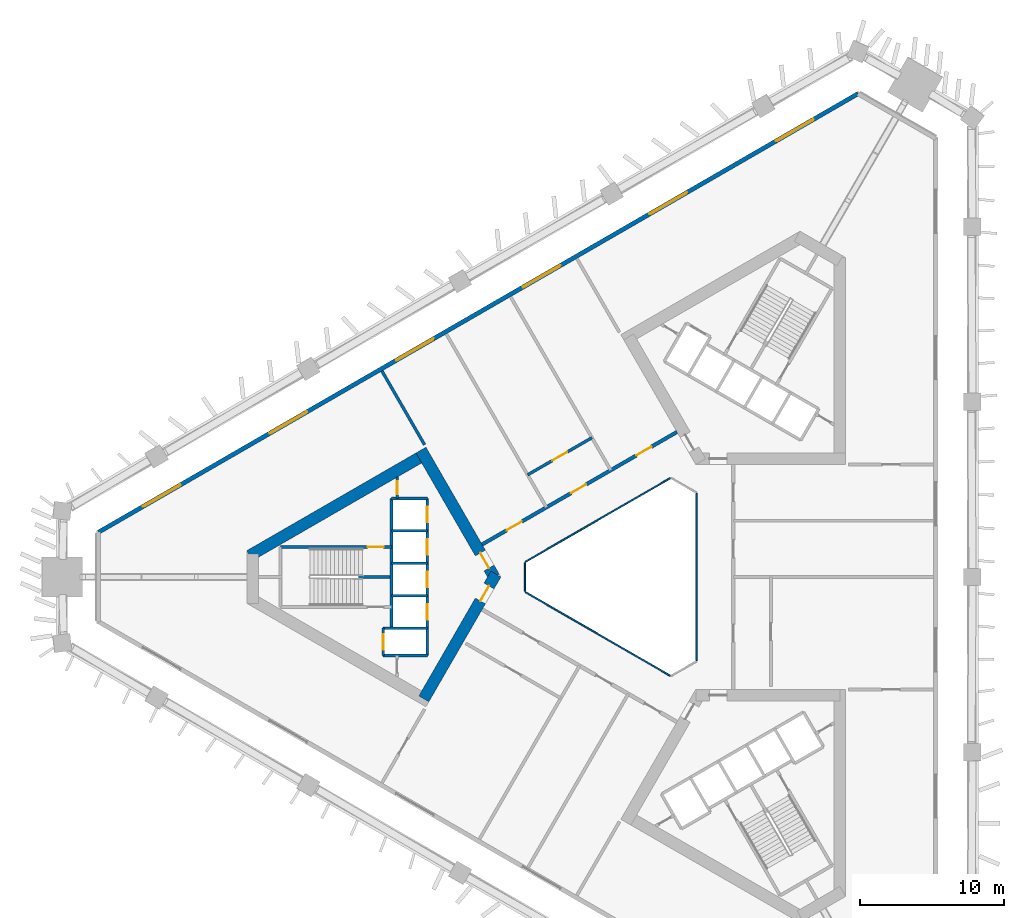
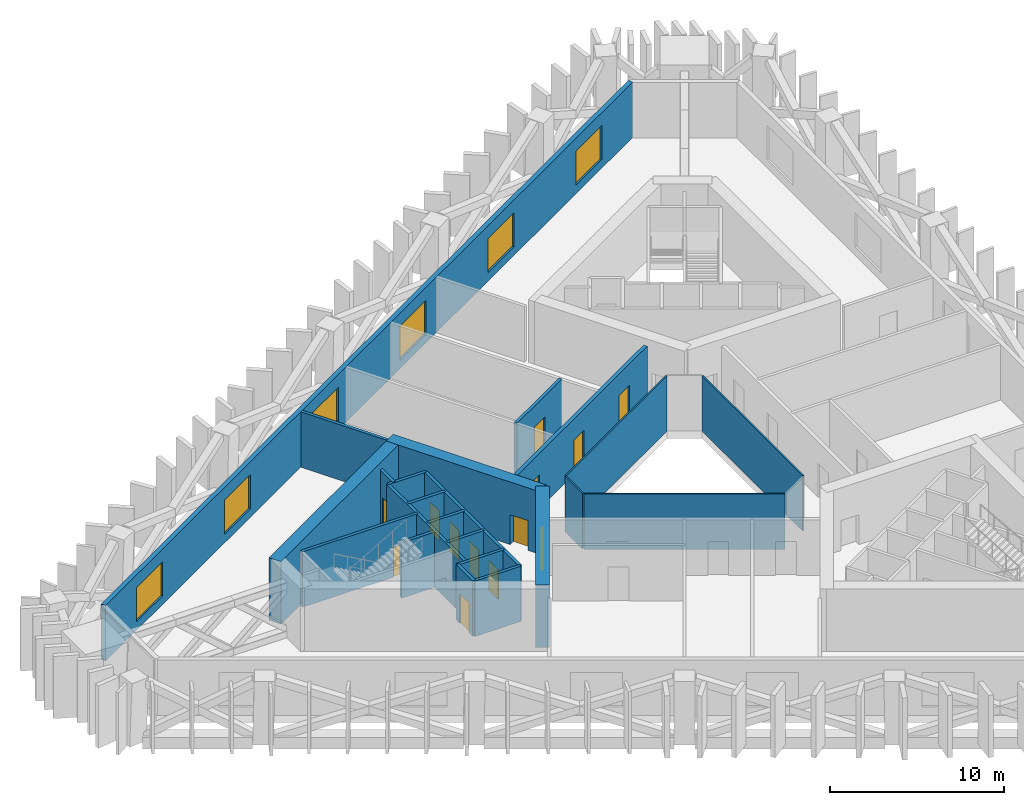
# One storey, part 5 of 9: 23 walls, 13 doors, 6 windows, 19 openings.
"""IFC4 building model written with IfcOpenShell, lengths in metres."""

from ifc_helpers import new_model, si_unit, direction, frame, frame_2d, origin, place, context, subcontext, project, spatial, rectangle, extrude, material, layer, layer_set, type_object, element, fill, save


model = new_model("IFC4")

# Units and contexts
model_context = context("Model", 3, precision=1e-05, world=origin(), true_north=direction((0.0, 1.0)))
body_context = subcontext(model_context, "Body", "Model", "MODEL_VIEW")
ifc_project = project(units=[si_unit("LENGTHUNIT", "METRE"), si_unit("AREAUNIT", "SQUARE_METRE"), si_unit("VOLUMEUNIT", "CUBIC_METRE"), si_unit("PLANEANGLEUNIT", "RADIAN"), si_unit("MASSUNIT", "GRAM", prefix="KILO")], contexts=[model_context])

# Site, building, storey
site_placement = place(None, origin())
site = spatial("IfcSite", under=ifc_project, at=site_placement, CompositionType="ELEMENT")
building_placement = place(site_placement, origin())
building = spatial("IfcBuilding", under=site, at=building_placement, Name="Jabali Bay Hotel Tower and Convention Centre", CompositionType="ELEMENT")
storey_placement = place(building_placement, frame((0.0, 0.0, 48.5)))
storey = spatial("IfcBuildingStorey", under=building, at=storey_placement, Name="L10", CompositionType="ELEMENT", Elevation=48.5)

# Walls
ifc_material_1 = material(Name="Fire-resistant glazing", Category="glass")
ifc_layer_1 = layer(ifc_material_1, 0.10009765625)
ifc_layer_set_1 = layer_set([ifc_layer_1], Name="Fire-resistant glazing")
wall_type_1 = type_object("IfcWallType", Name="Atrium glazed screen 100", PredefinedType="PARTITIONING", material=ifc_layer_set_1)
for number, where, z_axis, x_axis, name in (
    (1, (79.56005859375, 74.205810546875, 0.0), (0.0, 0.0, 1.0), (0.0, 1.0, 0.0), "Atrium screen 1 L10"),
    (2, (77.738037109375, 86.84619140625, 0.0), (0.0, 0.0, 1.0), (-0.866026658274, -0.499997827154, 0.0), "Atrium screen 3 L10"),
):
    element("IfcWall", number, at=place(storey_placement, frame(where, z_axis=z_axis, x_axis=x_axis)), inside=storey, type_object=wall_type_1, Name=name, PredefinedType="PARTITIONING", context=body_context, shape_type="SweptSolid", body=[
        extrude(rectangle(XDim=11.58837890625, YDim=0.10009765625, at=frame_2d((5.794189453125, 0.0))), origin(), (0.0, 0.0, 1.0), 3.89990234375),
    ])
wall_1_placement = place(storey_placement, frame((67.672119140625, 81.0, 0.0), z_axis=(0.0, 0.0, 1.0), x_axis=(0.0, -1.0, 0.0)))
element("IfcWall", 3, at=wall_1_placement, inside=storey, type_object=wall_type_1, Name="Atrium screen 4 L10", PredefinedType="PARTITIONING", context=body_context, shape_type="SweptSolid", body=[
    extrude(rectangle(XDim=2.0, YDim=0.10009765625, at=frame_2d((1.0, 0.0))), origin(), (0.0, 0.0, 1.0), 3.89990234375),
])
wall_2_placement = place(storey_placement, frame((67.7021484375, 78.947998046875, 0.0), z_axis=(0.0, 0.0, 1.0), x_axis=(0.866026658274, -0.499997827154, 0.0)))
element("IfcWall", 4, at=wall_2_placement, inside=storey, type_object=wall_type_1, Name="Atrium screen 5 L10", PredefinedType="PARTITIONING", context=body_context, shape_type="SweptSolid", body=[
    extrude(rectangle(XDim=11.58837890625, YDim=0.10009765625, at=frame_2d((5.794189453125, 0.0))), origin(), (0.0, 0.0, 1.0), 3.89990234375),
])

# Wall, opening, door
ifc_material_2 = material(Name="Concrete C40", Category="concrete")
ifc_layer_2 = layer(ifc_material_2, 0.199951171875)
ifc_layer_set_2 = layer_set([ifc_layer_2], Name="Concrete C40")
wall_type_2 = type_object("IfcWallType", Name="Core partition wall 200", PredefinedType="PARTITIONING", material=ifc_layer_set_2)
wall_3_placement = place(storey_placement, frame((58.820068359375, 86.916748046875, 0.0), z_axis=(0.0, 0.0, 1.0), x_axis=(0.0, -1.0, 0.0)))
wall_3 = element("IfcWall", 5, at=wall_3_placement, inside=storey, type_object=wall_type_2, Name="Core wall 0.11 L10", PredefinedType="PARTITIONING", context=body_context, shape_type="SweptSolid", body=[
    extrude(rectangle(XDim=1.466796875, YDim=0.199951171875, at=frame_2d((0.7333984375, 0.0))), origin(), (0.0, 0.0, 1.0), 3.89990234375),
])
opening_1_placement = place(wall_3_placement, frame((0.283447265625, 0.0, 0.0)))
opening_1 = element("IfcOpeningElement", 6, at=opening_1_placement, cuts=wall_3, Name="Opening D291", PredefinedType="OPENING", context=body_context, shape_type="SweptSolid", body=[
    extrude(rectangle(XDim=0.89990234375, YDim=2.10009765625, at=frame_2d((0.449951171875, 1.050048828125))), frame((0.0, 0.1103515625, 0.0), z_axis=(0.0, -1.0, 0.0), x_axis=(1.0, 0.0, 0.0)), (0.0, 0.0, 1.0), 0.220947265625),
])
ifc_material_3 = material(Name="Fire-rated steel door", Category="steel")
door_type_1 = type_object("IfcDoorType", Name="Vestibule fire door 900 x 2100", OperationType="NOTDEFINED", PredefinedType="NOTDEFINED", material=ifc_material_3)
door_1_placement = place(opening_1_placement, origin())
door_1 = element("IfcDoor", 7, at=door_1_placement, inside=storey, type_object=door_type_1, Name="Vestibule fire door D291", OperationType="SINGLE_SWING_LEFT", OverallHeight=2.10009765625, OverallWidth=0.89990234375, PredefinedType="NOTDEFINED", context=body_context, shape_type="SweptSolid", body=[
    extrude(rectangle(XDim=0.89990234375, YDim=2.10009765625, at=frame_2d((0.449951171875, 1.050048828125))), frame((0.0, 0.02490234375, 0.0), z_axis=(0.0, -1.0, 0.0), x_axis=(1.0, 0.0, 0.0)), (0.0, 0.0, 1.0), 0.050048828125),
])
fill(opening_1, door_1)

# Walls
ifc_layer_3 = layer(ifc_material_2, 0.199951171875)
ifc_layer_set_3 = layer_set([ifc_layer_3], Name="Concrete C40")
wall_type_3 = type_object("IfcWallType", Name="Core stair wall 200", PredefinedType="SOLIDWALL", material=ifc_layer_set_3)
for number, where, z_axis, x_axis, name in (
    (8, (60.89990234375, 85.449951171875, 0.0), (0.0, 0.0, 1.0), (-1.0, 0.0, 0.0), "Core wall 0.0 L10"),
    (9, (60.89990234375, 83.199951171875, 0.0), (0.0, 0.0, 1.0), (-1.0, 0.0, 0.0), "Core wall 0.1 L10"),
):
    element("IfcWall", number, at=place(storey_placement, frame(where, z_axis=z_axis, x_axis=x_axis)), inside=storey, type_object=wall_type_3, Name=name, PredefinedType="SOLIDWALL", context=body_context, shape_type="SweptSolid", body=[
        extrude(rectangle(XDim=2.47998046875, YDim=0.199951171875, at=frame_2d((1.239990234375, 0.0))), origin(), (0.0, 0.0, 1.0), 3.89990234375),
    ])

# Wall, opening, door
wall_4_placement = place(storey_placement, frame((58.419921875, 82.074951171875, 0.0), z_axis=(0.0, 0.0, 1.0), x_axis=(-1.0, 0.0, 0.0)))
wall_4 = element("IfcWall", 10, at=wall_4_placement, inside=storey, type_object=wall_type_3, Name="Core wall 0.2 L10", PredefinedType="SOLIDWALL", context=body_context, shape_type="SweptSolid", body=[
    extrude(rectangle(XDim=7.699951171875, YDim=0.199951171875, at=frame_2d((3.85009765625, 0.0))), origin(), (0.0, 0.0, 1.0), 3.89990234375),
])
opening_2_placement = place(wall_4_placement, frame((0.550048828125, 0.0, 0.0)))
opening_2 = element("IfcOpeningElement", 11, at=opening_2_placement, cuts=wall_4, Name="Opening D293", PredefinedType="OPENING", context=body_context, shape_type="SweptSolid", body=[
    extrude(rectangle(XDim=1.10009765625, YDim=2.10009765625, at=frame_2d((0.550048828125, 1.050048828125))), frame((0.0, 0.1103515625, 0.0), z_axis=(0.0, -1.0, 0.0), x_axis=(1.0, 0.0, 0.0)), (0.0, 0.0, 1.0), 0.220947265625),
])
door_type_2 = type_object("IfcDoorType", Name="Stair fire door 1100 x 2100", OperationType="NOTDEFINED", PredefinedType="NOTDEFINED", material=ifc_material_3)
door_2_placement = place(opening_2_placement, origin())
door_2 = element("IfcDoor", 12, at=door_2_placement, inside=storey, type_object=door_type_2, Name="Stair fire door D293", OperationType="SINGLE_SWING_LEFT", OverallHeight=2.10009765625, OverallWidth=1.10009765625, PredefinedType="NOTDEFINED", context=body_context, shape_type="SweptSolid", body=[
    extrude(rectangle(XDim=1.10009765625, YDim=2.10009765625, at=frame_2d((0.550048828125, 1.050048828125))), frame((0.0, 0.02490234375, 0.0), z_axis=(0.0, -1.0, 0.0), x_axis=(1.0, 0.0, 0.0)), (0.0, 0.0, 1.0), 0.050048828125),
])
fill(opening_2, door_2)

# Walls
wall_5_placement = place(storey_placement, frame((60.89990234375, 80.949951171875, 0.0), z_axis=(0.0, 0.0, 1.0), x_axis=(-1.0, 0.0, 0.0)))
element("IfcWall", 13, at=wall_5_placement, inside=storey, type_object=wall_type_3, Name="Core wall 0.3 L10", PredefinedType="SOLIDWALL", context=body_context, shape_type="SweptSolid", body=[
    extrude(rectangle(XDim=2.47998046875, YDim=0.199951171875, at=frame_2d((1.239990234375, 0.0))), origin(), (0.0, 0.0, 1.0), 3.89990234375),
])
wall_6_placement = place(storey_placement, frame((58.320068359375, 80.0, 0.0), z_axis=(0.0, 0.0, 1.0), x_axis=(-1.0, 0.0, 0.0)))
element("IfcWall", 14, at=wall_6_placement, inside=storey, type_object=wall_type_3, Name="Core wall 0.4 L10", PredefinedType="SOLIDWALL", context=body_context, shape_type="SweptSolid", body=[
    extrude(rectangle(XDim=2.199951171875, YDim=0.199951171875, at=frame_2d((1.10009765625, 0.0))), origin(), (0.0, 0.0, 1.0), 3.89990234375),
])
wall_7_placement = place(storey_placement, frame((60.89990234375, 78.699951171875, 0.0), z_axis=(0.0, 0.0, 1.0), x_axis=(-1.0, 0.0, 0.0)))
element("IfcWall", 15, at=wall_7_placement, inside=storey, type_object=wall_type_3, Name="Core wall 0.6 L10", PredefinedType="SOLIDWALL", context=body_context, shape_type="SweptSolid", body=[
    extrude(rectangle(XDim=2.47998046875, YDim=0.199951171875, at=frame_2d((1.239990234375, 0.0))), origin(), (0.0, 0.0, 1.0), 3.89990234375),
])
for number, where, z_axis, x_axis, name in (
    (16, (60.89990234375, 76.449951171875, 0.0), (0.0, 0.0, 1.0), (-1.0, 0.0, 0.0), "Core wall 0.8 L10"),
    (17, (60.89990234375, 74.550048828125, 0.0), (0.0, 0.0, 1.0), (-1.0, 0.0, 0.0), "Core wall 0.9 L10"),
):
    element("IfcWall", number, at=place(storey_placement, frame(where, z_axis=z_axis, x_axis=x_axis)), inside=storey, type_object=wall_type_3, Name=name, PredefinedType="SOLIDWALL", context=body_context, shape_type="SweptSolid", body=[
        extrude(rectangle(XDim=3.0498046875, YDim=0.199951171875, at=frame_2d((1.52490234375, 0.0))), origin(), (0.0, 0.0, 1.0), 3.89990234375),
    ])

# Wall, openings, doors
wall_8_placement = place(storey_placement, frame((60.89990234375, 85.449951171875, 0.0), z_axis=(0.0, 0.0, 1.0), x_axis=(0.0, -1.0, 0.0)))
wall_8 = element("IfcWall", 18, at=wall_8_placement, inside=storey, type_object=wall_type_3, Name="Core wall 0.10 L10", PredefinedType="SOLIDWALL", context=body_context, shape_type="SweptSolid", body=[
    extrude(rectangle(XDim=10.89990234375, YDim=0.199951171875, at=frame_2d((5.449951171875, 0.0))), origin(), (0.0, 0.0, 1.0), 3.89990234375),
])
opening_3_placement = place(wall_8_placement, frame((0.574951171875, 0.0, 0.0)))
opening_3 = element("IfcOpeningElement", 19, at=opening_3_placement, cuts=wall_8, Name="Opening LD1-L10", PredefinedType="OPENING", context=body_context, shape_type="SweptSolid", body=[
    extrude(rectangle(XDim=1.10009765625, YDim=2.10009765625, at=frame_2d((0.550048828125, 1.050048828125))), frame((0.0, 0.1103515625, 0.0), z_axis=(0.0, -1.0, 0.0), x_axis=(1.0, 0.0, 0.0)), (0.0, 0.0, 1.0), 0.220947265625),
])
opening_4_placement = place(wall_8_placement, frame((2.824951171875, 0.0, 0.0)))
opening_4 = element("IfcOpeningElement", 20, at=opening_4_placement, cuts=wall_8, Name="Opening LD2-L10", PredefinedType="OPENING", context=body_context, shape_type="SweptSolid", body=[
    extrude(rectangle(XDim=1.10009765625, YDim=2.10009765625, at=frame_2d((0.550048828125, 1.050048828125))), frame((0.0, 0.1103515625, 0.0), z_axis=(0.0, -1.0, 0.0), x_axis=(1.0, 0.0, 0.0)), (0.0, 0.0, 1.0), 0.220947265625),
])
opening_5_placement = place(wall_8_placement, frame((5.074951171875, 0.0, 0.0)))
opening_5 = element("IfcOpeningElement", 21, at=opening_5_placement, cuts=wall_8, Name="Opening LD3-L10", PredefinedType="OPENING", context=body_context, shape_type="SweptSolid", body=[
    extrude(rectangle(XDim=1.10009765625, YDim=2.10009765625, at=frame_2d((0.550048828125, 1.050048828125))), frame((0.0, 0.1103515625, 0.0), z_axis=(0.0, -1.0, 0.0), x_axis=(1.0, 0.0, 0.0)), (0.0, 0.0, 1.0), 0.220947265625),
])
opening_6_placement = place(wall_8_placement, frame((7.324951171875, 0.0, 0.0)))
opening_6 = element("IfcOpeningElement", 22, at=opening_6_placement, cuts=wall_8, Name="Opening LD4-L10", PredefinedType="OPENING", context=body_context, shape_type="SweptSolid", body=[
    extrude(rectangle(XDim=1.10009765625, YDim=2.10009765625, at=frame_2d((0.550048828125, 1.050048828125))), frame((0.0, 0.1103515625, 0.0), z_axis=(0.0, -1.0, 0.0), x_axis=(1.0, 0.0, 0.0)), (0.0, 0.0, 1.0), 0.220947265625),
])
ifc_material_4 = material(Name="Stainless steel landing door", Category="steel")
door_type_3 = type_object("IfcDoorType", Name="Landing door 1100 x 2100", OperationType="NOTDEFINED", PredefinedType="NOTDEFINED", material=ifc_material_4)
door_3_placement = place(opening_3_placement, origin())
door_3 = element("IfcDoor", 23, at=door_3_placement, inside=storey, type_object=door_type_3, Name="Landing doors LD1-L10", OperationType="SLIDING_TO_RIGHT", OverallHeight=2.10009765625, OverallWidth=1.10009765625, PredefinedType="NOTDEFINED", context=body_context, shape_type="SweptSolid", body=[
    extrude(rectangle(XDim=1.10009765625, YDim=2.10009765625, at=frame_2d((0.550048828125, 1.050048828125))), frame((0.0, 0.02490234375, 0.0), z_axis=(0.0, -1.0, 0.0), x_axis=(1.0, 0.0, 0.0)), (0.0, 0.0, 1.0), 0.050048828125),
])
fill(opening_3, door_3)
door_4_placement = place(opening_4_placement, origin())
door_4 = element("IfcDoor", 24, at=door_4_placement, inside=storey, type_object=door_type_3, Name="Landing doors LD2-L10", OperationType="SLIDING_TO_LEFT", OverallHeight=2.10009765625, OverallWidth=1.10009765625, PredefinedType="NOTDEFINED", context=body_context, shape_type="SweptSolid", body=[
    extrude(rectangle(XDim=1.10009765625, YDim=2.10009765625, at=frame_2d((0.550048828125, 1.050048828125))), frame((0.0, 0.02490234375, 0.0), z_axis=(0.0, -1.0, 0.0), x_axis=(1.0, 0.0, 0.0)), (0.0, 0.0, 1.0), 0.050048828125),
])
fill(opening_4, door_4)
door_5_placement = place(opening_5_placement, origin())
door_5 = element("IfcDoor", 25, at=door_5_placement, inside=storey, type_object=door_type_3, Name="Landing doors LD3-L10", OperationType="SLIDING_TO_RIGHT", OverallHeight=2.10009765625, OverallWidth=1.10009765625, PredefinedType="NOTDEFINED", context=body_context, shape_type="SweptSolid", body=[
    extrude(rectangle(XDim=1.10009765625, YDim=2.10009765625, at=frame_2d((0.550048828125, 1.050048828125))), frame((0.0, 0.02490234375, 0.0), z_axis=(0.0, -1.0, 0.0), x_axis=(1.0, 0.0, 0.0)), (0.0, 0.0, 1.0), 0.050048828125),
])
fill(opening_5, door_5)
door_6_placement = place(opening_6_placement, origin())
door_6 = element("IfcDoor", 26, at=door_6_placement, inside=storey, type_object=door_type_3, Name="Landing doors LD4-L10", OperationType="SLIDING_TO_LEFT", OverallHeight=2.10009765625, OverallWidth=1.10009765625, PredefinedType="NOTDEFINED", context=body_context, shape_type="SweptSolid", body=[
    extrude(rectangle(XDim=1.10009765625, YDim=2.10009765625, at=frame_2d((0.550048828125, 1.050048828125))), frame((0.0, 0.02490234375, 0.0), z_axis=(0.0, -1.0, 0.0), x_axis=(1.0, 0.0, 0.0)), (0.0, 0.0, 1.0), 0.050048828125),
])
fill(opening_6, door_6)

# Wall
wall_9_placement = place(storey_placement, frame((58.419921875, 85.449951171875, 0.0), z_axis=(0.0, 0.0, 1.0), x_axis=(0.0, -1.0, 0.0)))
element("IfcWall", 27, at=wall_9_placement, inside=storey, type_object=wall_type_3, Name="Core wall 0.13 L10", PredefinedType="SOLIDWALL", context=body_context, shape_type="SweptSolid", body=[
    extrude(rectangle(XDim=9.0, YDim=0.199951171875, at=frame_2d((4.5, 0.0))), origin(), (0.0, 0.0, 1.0), 3.89990234375),
])

# Wall, opening, door
wall_10_placement = place(storey_placement, frame((57.85009765625, 76.449951171875, 0.0), z_axis=(0.0, 0.0, 1.0), x_axis=(0.0, -1.0, 0.0)))
wall_10 = element("IfcWall", 28, at=wall_10_placement, inside=storey, type_object=wall_type_3, Name="Core wall 0.14 L10", PredefinedType="SOLIDWALL", context=body_context, shape_type="SweptSolid", body=[
    extrude(rectangle(XDim=1.89990234375, YDim=0.199951171875, at=frame_2d((0.949951171875, 0.0))), origin(), (0.0, 0.0, 1.0), 3.89990234375),
])
opening_7_placement = place(wall_10_placement, frame((0.39990234375, 0.0, 0.0)))
opening_7 = element("IfcOpeningElement", 29, at=opening_7_placement, cuts=wall_10, Name="Opening LD5-L10", PredefinedType="OPENING", context=body_context, shape_type="SweptSolid", body=[
    extrude(rectangle(XDim=1.10009765625, YDim=2.10009765625, at=frame_2d((0.550048828125, 1.050048828125))), frame((0.0, 0.1103515625, 0.0), z_axis=(0.0, -1.0, 0.0), x_axis=(1.0, 0.0, 0.0)), (0.0, 0.0, 1.0), 0.220947265625),
])
door_7_placement = place(opening_7_placement, origin())
door_7 = element("IfcDoor", 30, at=door_7_placement, inside=storey, type_object=door_type_3, Name="Landing doors LD5-L10", OperationType="SLIDING_TO_RIGHT", OverallHeight=2.10009765625, OverallWidth=1.10009765625, PredefinedType="NOTDEFINED", context=body_context, shape_type="SweptSolid", body=[
    extrude(rectangle(XDim=1.10009765625, YDim=2.10009765625, at=frame_2d((0.550048828125, 1.050048828125))), frame((0.0, 0.02490234375, 0.0), z_axis=(0.0, -1.0, 0.0), x_axis=(1.0, 0.0, 0.0)), (0.0, 0.0, 1.0), 0.050048828125),
])
fill(opening_7, door_7)

ifc_material_5 = material(Name="Concrete C60", Category="concrete")
ifc_layer_4 = layer(ifc_material_5, 0.800048828125)
ifc_layer_set_4 = layer_set([ifc_layer_4], Name="Concrete C60")
wall_type_4 = type_object("IfcWallType", Name="Core wall 800", PredefinedType="SHEAR", material=ifc_layer_set_4)
wall_11_placement = place(storey_placement, frame((65.5380859375, 80.0, 0.0), z_axis=(0.0, 0.0, 1.0), x_axis=(-0.49999662545, 0.866027352073, 0.0)))
wall_11 = element("IfcWall", 31, at=wall_11_placement, inside=storey, type_object=wall_type_4, Name="Core wall 1.1 L10", PredefinedType="SHEAR", context=body_context, shape_type="SweptSolid", body=[
    extrude(rectangle(XDim=10.14892578125, YDim=0.800048828125, at=frame_2d((5.074462890625, 0.0))), origin(), (0.0, 0.0, 1.0), 4.39990234375),
])
opening_8_placement = place(wall_11_placement, frame((0.718994140625, 0.0, 0.0)))
opening_8 = element("IfcOpeningElement", 32, at=opening_8_placement, cuts=wall_11, Name="Opening D288", PredefinedType="OPENING", context=body_context, shape_type="SweptSolid", body=[
    extrude(rectangle(XDim=1.199951171875, YDim=2.10009765625, at=frame_2d((0.60009765625, 1.050048828125))), frame((0.0, 0.41064453125, 0.0), z_axis=(0.0, -1.0, 0.0), x_axis=(1.0, 0.0, 0.0)), (0.0, 0.0, 1.0), 0.821044921875),
])
door_type_4 = type_object("IfcDoorType", Name="Corridor end fire door 1200 x 2100", OperationType="NOTDEFINED", PredefinedType="NOTDEFINED", material=ifc_material_3)
door_8_placement = place(opening_8_placement, origin())
door_8 = element("IfcDoor", 33, at=door_8_placement, inside=storey, type_object=door_type_4, Name="Corridor end fire door D288", OperationType="SINGLE_SWING_RIGHT", OverallHeight=2.10009765625, OverallWidth=1.199951171875, PredefinedType="NOTDEFINED", context=body_context, shape_type="SweptSolid", body=[
    extrude(rectangle(XDim=1.199951171875, YDim=2.10009765625, at=frame_2d((0.60009765625, 1.050048828125))), frame((0.0, 0.02490234375, 0.0), z_axis=(0.0, -1.0, 0.0), x_axis=(1.0, 0.0, 0.0)), (0.0, 0.0, 1.0), 0.050048828125),
])
fill(opening_8, door_8)

# Wall
wall_12_placement = place(storey_placement, frame((60.66357421875, 88.44287109375, 0.0), z_axis=(0.0, 0.0, 1.0), x_axis=(-0.866029478545, -0.499992942241, 0.0)))
element("IfcWall", 34, at=wall_12_placement, inside=storey, type_object=wall_type_4, Name="Core wall 1.2 L10", PredefinedType="SHEAR", context=body_context, shape_type="SweptSolid", body=[
    extrude(rectangle(XDim=13.933349609375, YDim=0.800048828125, at=frame_2d((6.966796875, 0.0))), origin(), (0.0, 0.0, 1.0), 4.39990234375),
])

# Wall, opening, door
wall_13_placement = place(storey_placement, frame((60.66357421875, 71.55712890625, 0.0), z_axis=(0.0, 0.0, 1.0), x_axis=(0.50000409368, 0.866023040284, 0.0)))
wall_13 = element("IfcWall", 35, at=wall_13_placement, inside=storey, type_object=wall_type_4, Name="Core wall 1.5 L10", PredefinedType="SHEAR", context=body_context, shape_type="SweptSolid", body=[
    extrude(rectangle(XDim=9.97998046875, YDim=0.800048828125, at=frame_2d((4.989990234375, 0.0))), origin(), (0.0, 0.0, 1.0), 4.39990234375),
])
opening_9_placement = place(wall_13_placement, frame((7.830078125, 0.0, 0.0)))
opening_9 = element("IfcOpeningElement", 36, at=opening_9_placement, cuts=wall_13, Name="Opening D289", PredefinedType="OPENING", context=body_context, shape_type="SweptSolid", body=[
    extrude(rectangle(XDim=1.199951171875, YDim=2.10009765625, at=frame_2d((0.60009765625, 1.050048828125))), frame((0.0, 0.41064453125, 0.0), z_axis=(0.0, -1.0, 0.0), x_axis=(1.0, 0.0, 0.0)), (0.0, 0.0, 1.0), 0.821044921875),
])
door_9_placement = place(opening_9_placement, origin())
door_9 = element("IfcDoor", 37, at=door_9_placement, inside=storey, type_object=door_type_4, Name="Corridor end fire door D289", OperationType="SINGLE_SWING_LEFT", OverallHeight=2.10009765625, OverallWidth=1.199951171875, PredefinedType="NOTDEFINED", context=body_context, shape_type="SweptSolid", body=[
    extrude(rectangle(XDim=1.199951171875, YDim=2.10009765625, at=frame_2d((0.60009765625, 1.050048828125))), frame((0.0, 0.02490234375, 0.0), z_axis=(0.0, -1.0, 0.0), x_axis=(1.0, 0.0, 0.0)), (0.0, 0.0, 1.0), 0.050048828125),
])
fill(opening_9, door_9)

# Wall, openings, doors
ifc_layer_5 = layer(ifc_material_5, 0.25)
ifc_layer_set_5 = layer_set([ifc_layer_5], Name="Concrete C60")
wall_type_5 = type_object("IfcWallType", Name="Corridor wall 250", PredefinedType="SHEAR", material=ifc_layer_set_5)
wall_14_placement = place(storey_placement, frame((78.199951171875, 90.0458984375, 0.0), z_axis=(0.0, 0.0, 1.0), x_axis=(-0.866026492143, -0.499998114903, 0.0)))
wall_14 = element("IfcWall", 38, at=wall_14_placement, inside=storey, type_object=wall_type_5, Name="Corridor wall 2 L10", PredefinedType="SHEAR", context=body_context, shape_type="SweptSolid", body=[
    extrude(rectangle(XDim=15.58837890625, YDim=0.25, at=frame_2d((7.794189453125, 0.0))), origin(), (0.0, 0.0, 1.0), 3.89990234375),
])
opening_10_placement = place(wall_14_placement, frame((2.050048828125, 0.0, 0.0)))
opening_10 = element("IfcOpeningElement", 39, at=opening_10_placement, cuts=wall_14, Name="Opening 1005", PredefinedType="OPENING", context=body_context, shape_type="SweptSolid", body=[
    extrude(rectangle(XDim=1.199951171875, YDim=2.39990234375, at=frame_2d((0.60009765625, 1.199951171875))), frame((0.0, 0.135498046875, 0.0), z_axis=(0.0, -1.0, 0.0), x_axis=(1.0, 0.0, 0.0)), (0.0, 0.0, 1.0), 0.27099609375),
])
opening_11_placement = place(wall_14_placement, frame((7.272216796875, 0.0, 0.0)))
opening_11 = element("IfcOpeningElement", 40, at=opening_11_placement, cuts=wall_14, Name="Opening 1006", PredefinedType="OPENING", context=body_context, shape_type="SweptSolid", body=[
    extrude(rectangle(XDim=1.199951171875, YDim=2.39990234375, at=frame_2d((0.60009765625, 1.199951171875))), frame((0.0, 0.135498046875, 0.0), z_axis=(0.0, -1.0, 0.0), x_axis=(1.0, 0.0, 0.0)), (0.0, 0.0, 1.0), 0.27099609375),
])
opening_12_placement = place(wall_14_placement, frame((12.41650390625, 0.0, 0.0)))
opening_12 = element("IfcOpeningElement", 41, at=opening_12_placement, cuts=wall_14, Name="Opening 1008", PredefinedType="OPENING", context=body_context, shape_type="SweptSolid", body=[
    extrude(rectangle(XDim=1.199951171875, YDim=2.39990234375, at=frame_2d((0.60009765625, 1.199951171875))), frame((0.0, 0.135498046875, 0.0), z_axis=(0.0, -1.0, 0.0), x_axis=(1.0, 0.0, 0.0)), (0.0, 0.0, 1.0), 0.27099609375),
])
ifc_material_6 = material(Name="Steel Q355B", Category="steel")
door_type_5 = type_object("IfcDoorType", Name="Plant room door 1200 x 2400", OperationType="NOTDEFINED", PredefinedType="NOTDEFINED", material=ifc_material_6)
door_10_placement = place(opening_10_placement, origin())
door_10 = element("IfcDoor", 42, at=door_10_placement, inside=storey, type_object=door_type_5, Name="Door 1005", OperationType="SINGLE_SWING_LEFT", OverallHeight=2.39990234375, OverallWidth=1.199951171875, PredefinedType="NOTDEFINED", context=body_context, shape_type="SweptSolid", body=[
    extrude(rectangle(XDim=1.199951171875, YDim=2.39990234375, at=frame_2d((0.60009765625, 1.199951171875))), frame((0.0, 0.02490234375, 0.0), z_axis=(0.0, -1.0, 0.0), x_axis=(1.0, 0.0, 0.0)), (0.0, 0.0, 1.0), 0.050048828125),
])
fill(opening_10, door_10)
ifc_material_7 = material(Name="Timber", Category="wood")
door_type_6 = type_object("IfcDoorType", Name="Public room door 1200 x 2400", OperationType="NOTDEFINED", PredefinedType="NOTDEFINED", material=ifc_material_7)
door_11_placement = place(opening_12_placement, origin())
door_11 = element("IfcDoor", 43, at=door_11_placement, inside=storey, type_object=door_type_6, Name="Door 1008", OperationType="SINGLE_SWING_RIGHT", OverallHeight=2.39990234375, OverallWidth=1.199951171875, PredefinedType="NOTDEFINED", context=body_context, shape_type="SweptSolid", body=[
    extrude(rectangle(XDim=1.199951171875, YDim=2.39990234375, at=frame_2d((0.60009765625, 1.199951171875))), frame((0.0, 0.02490234375, 0.0), z_axis=(0.0, -1.0, 0.0), x_axis=(1.0, 0.0, 0.0)), (0.0, 0.0, 1.0), 0.050048828125),
])
fill(opening_12, door_11)
door_type_7 = type_object("IfcDoorType", Name="Refuge hall door 1200 x 2400", OperationType="NOTDEFINED", PredefinedType="NOTDEFINED", material=ifc_material_6)
door_12_placement = place(opening_11_placement, origin())
door_12 = element("IfcDoor", 44, at=door_12_placement, inside=storey, type_object=door_type_7, Name="Door 1006", OperationType="SINGLE_SWING_RIGHT", OverallHeight=2.39990234375, OverallWidth=1.199951171875, PredefinedType="NOTDEFINED", context=body_context, shape_type="SweptSolid", body=[
    extrude(rectangle(XDim=1.199951171875, YDim=2.39990234375, at=frame_2d((0.60009765625, 1.199951171875))), frame((0.0, 0.02490234375, 0.0), z_axis=(0.0, -1.0, 0.0), x_axis=(1.0, 0.0, 0.0)), (0.0, 0.0, 1.0), 0.050048828125),
])
fill(opening_11, door_12)

# Wall, openings, windows
ifc_layer_6 = layer(ifc_material_2, 0.300048828125)
ifc_layer_set_6 = layer_set([ifc_layer_6], Name="Concrete C40")
wall_type_6 = type_object("IfcWallType", Name="External wall 300", PredefinedType="SOLIDWALL", material=ifc_layer_set_6)
wall_15_placement = place(storey_placement, frame((38.130859375, 83.1083984375, 0.0), z_axis=(0.0, 0.0, 1.0), x_axis=(0.866025105017, 0.50000051748, 0.0)))
wall_15 = element("IfcWall", 45, at=wall_15_placement, inside=storey, type_object=wall_type_6, Name="External wall north-west face L10", PredefinedType="SOLIDWALL", context=body_context, shape_type="SweptSolid", body=[
    extrude(rectangle(XDim=60.7509765625, YDim=0.300048828125, at=frame_2d((30.37548828125, 0.0))), origin(), (0.0, 0.0, 1.0), 3.89990234375),
])
opening_13_placement = place(wall_15_placement, frame((3.5625, 0.0, 0.60009765625)))
opening_13 = element("IfcOpeningElement", 46, at=opening_13_placement, cuts=wall_15, Name="Opening W2", PredefinedType="OPENING", context=body_context, shape_type="SweptSolid", body=[
    extrude(rectangle(XDim=3.0, YDim=2.39990234375, at=frame_2d((1.5, 1.199951171875))), frame((0.0, 0.16064453125, 0.0), z_axis=(0.0, -1.0, 0.0), x_axis=(1.0, 0.0, 0.0)), (0.0, 0.0, 1.0), 0.321044921875),
])
opening_14_placement = place(wall_15_placement, frame((13.687744140625, 0.0, 0.60009765625)))
opening_14 = element("IfcOpeningElement", 47, at=opening_14_placement, cuts=wall_15, Name="Opening W2", PredefinedType="OPENING", context=body_context, shape_type="SweptSolid", body=[
    extrude(rectangle(XDim=3.0, YDim=2.39990234375, at=frame_2d((1.5, 1.199951171875))), frame((0.0, 0.16064453125, 0.0), z_axis=(0.0, -1.0, 0.0), x_axis=(1.0, 0.0, 0.0)), (0.0, 0.0, 1.0), 0.321044921875),
])
opening_15_placement = place(wall_15_placement, frame((23.812744140625, 0.0, 0.60009765625)))
opening_15 = element("IfcOpeningElement", 48, at=opening_15_placement, cuts=wall_15, Name="Opening W2", PredefinedType="OPENING", context=body_context, shape_type="SweptSolid", body=[
    extrude(rectangle(XDim=3.0, YDim=2.39990234375, at=frame_2d((1.5, 1.199951171875))), frame((0.0, 0.16064453125, 0.0), z_axis=(0.0, -1.0, 0.0), x_axis=(1.0, 0.0, 0.0)), (0.0, 0.0, 1.0), 0.321044921875),
])
opening_16_placement = place(wall_15_placement, frame((33.93798828125, 0.0, 0.60009765625)))
opening_16 = element("IfcOpeningElement", 49, at=opening_16_placement, cuts=wall_15, Name="Opening W2", PredefinedType="OPENING", context=body_context, shape_type="SweptSolid", body=[
    extrude(rectangle(XDim=3.0, YDim=2.39990234375, at=frame_2d((1.5, 1.199951171875))), frame((0.0, 0.16064453125, 0.0), z_axis=(0.0, -1.0, 0.0), x_axis=(1.0, 0.0, 0.0)), (0.0, 0.0, 1.0), 0.321044921875),
])
opening_17_placement = place(wall_15_placement, frame((44.063232421875, 0.0, 0.60009765625)))
opening_17 = element("IfcOpeningElement", 50, at=opening_17_placement, cuts=wall_15, Name="Opening W2", PredefinedType="OPENING", context=body_context, shape_type="SweptSolid", body=[
    extrude(rectangle(XDim=3.0, YDim=2.39990234375, at=frame_2d((1.5, 1.199951171875))), frame((0.0, 0.16064453125, 0.0), z_axis=(0.0, -1.0, 0.0), x_axis=(1.0, 0.0, 0.0)), (0.0, 0.0, 1.0), 0.321044921875),
])
opening_18_placement = place(wall_15_placement, frame((54.188232421875, 0.0, 0.60009765625)))
opening_18 = element("IfcOpeningElement", 51, at=opening_18_placement, cuts=wall_15, Name="Opening W2", PredefinedType="OPENING", context=body_context, shape_type="SweptSolid", body=[
    extrude(rectangle(XDim=3.0, YDim=2.39990234375, at=frame_2d((1.5, 1.199951171875))), frame((0.0, 0.16064453125, 0.0), z_axis=(0.0, -1.0, 0.0), x_axis=(1.0, 0.0, 0.0)), (0.0, 0.0, 1.0), 0.321044921875),
])
ifc_material_8 = material(Name="Aluminium", Category="aluminium")
window_type = type_object("IfcWindowType", Name="Louvred ventilation panel 3000 x 2400", PartitioningType="SINGLE_PANEL", PredefinedType="WINDOW", material=ifc_material_8)
window_1_placement = place(opening_13_placement, origin())
window_1 = element("IfcWindow", 52, at=window_1_placement, inside=storey, type_object=window_type, Name="Louvred panel 1", OverallHeight=2.39990234375, OverallWidth=3.0, PartitioningType="SINGLE_PANEL", PredefinedType="WINDOW", context=body_context, shape_type="SweptSolid", body=[
    extrude(rectangle(XDim=3.0, YDim=2.39990234375, at=frame_2d((1.5, 1.199951171875))), frame((0.0, 0.030029296875, 0.0), z_axis=(0.0, -1.0, 0.0), x_axis=(1.0, 0.0, 0.0)), (0.0, 0.0, 1.0), 0.06005859375),
])
fill(opening_13, window_1)
window_2_placement = place(opening_14_placement, origin())
window_2 = element("IfcWindow", 53, at=window_2_placement, inside=storey, type_object=window_type, Name="Louvred panel 2", OverallHeight=2.39990234375, OverallWidth=3.0, PartitioningType="SINGLE_PANEL", PredefinedType="WINDOW", context=body_context, shape_type="SweptSolid", body=[
    extrude(rectangle(XDim=3.0, YDim=2.39990234375, at=frame_2d((1.5, 1.199951171875))), frame((0.0, 0.030029296875, 0.0), z_axis=(0.0, -1.0, 0.0), x_axis=(1.0, 0.0, 0.0)), (0.0, 0.0, 1.0), 0.06005859375),
])
fill(opening_14, window_2)
window_3_placement = place(opening_15_placement, origin())
window_3 = element("IfcWindow", 54, at=window_3_placement, inside=storey, type_object=window_type, Name="Louvred panel 3", OverallHeight=2.39990234375, OverallWidth=3.0, PartitioningType="SINGLE_PANEL", PredefinedType="WINDOW", context=body_context, shape_type="SweptSolid", body=[
    extrude(rectangle(XDim=3.0, YDim=2.39990234375, at=frame_2d((1.5, 1.199951171875))), frame((0.0, 0.030029296875, 0.0), z_axis=(0.0, -1.0, 0.0), x_axis=(1.0, 0.0, 0.0)), (0.0, 0.0, 1.0), 0.06005859375),
])
fill(opening_15, window_3)
window_4_placement = place(opening_16_placement, origin())
window_4 = element("IfcWindow", 55, at=window_4_placement, inside=storey, type_object=window_type, Name="Louvred panel 4", OverallHeight=2.39990234375, OverallWidth=3.0, PartitioningType="SINGLE_PANEL", PredefinedType="WINDOW", context=body_context, shape_type="SweptSolid", body=[
    extrude(rectangle(XDim=3.0, YDim=2.39990234375, at=frame_2d((1.5, 1.199951171875))), frame((0.0, 0.030029296875, 0.0), z_axis=(0.0, -1.0, 0.0), x_axis=(1.0, 0.0, 0.0)), (0.0, 0.0, 1.0), 0.06005859375),
])
fill(opening_16, window_4)
window_5_placement = place(opening_17_placement, origin())
window_5 = element("IfcWindow", 56, at=window_5_placement, inside=storey, type_object=window_type, Name="Louvred panel 5", OverallHeight=2.39990234375, OverallWidth=3.0, PartitioningType="SINGLE_PANEL", PredefinedType="WINDOW", context=body_context, shape_type="SweptSolid", body=[
    extrude(rectangle(XDim=3.0, YDim=2.39990234375, at=frame_2d((1.5, 1.199951171875))), frame((0.0, 0.030029296875, 0.0), z_axis=(0.0, -1.0, 0.0), x_axis=(1.0, 0.0, 0.0)), (0.0, 0.0, 1.0), 0.06005859375),
])
fill(opening_17, window_5)
window_6_placement = place(opening_18_placement, origin())
window_6 = element("IfcWindow", 57, at=window_6_placement, inside=storey, type_object=window_type, Name="Louvred panel 6", OverallHeight=2.39990234375, OverallWidth=3.0, PartitioningType="SINGLE_PANEL", PredefinedType="WINDOW", context=body_context, shape_type="SweptSolid", body=[
    extrude(rectangle(XDim=3.0, YDim=2.39990234375, at=frame_2d((1.5, 1.199951171875))), frame((0.0, 0.030029296875, 0.0), z_axis=(0.0, -1.0, 0.0), x_axis=(1.0, 0.0, 0.0)), (0.0, 0.0, 1.0), 0.06005859375),
])
fill(opening_18, window_6)

# Wall
ifc_material_9 = material(Name="Plasterboard on steel stud", Category="steel")
ifc_layer_7 = layer(ifc_material_9, 0.199951171875)
ifc_layer_set_7 = layer_set([ifc_layer_7], Name="Plasterboard on steel stud")
wall_type_7 = type_object("IfcWallType", Name="Partition 200 plant", PredefinedType="PARTITIONING", material=ifc_layer_set_7)
wall_16_placement = place(storey_placement, frame((60.71044921875, 89.16162109375, 0.0), z_axis=(0.0, 0.0, 1.0), x_axis=(-0.499985191823, 0.866033953121, 0.0)))
element("IfcWall", 58, at=wall_16_placement, inside=storey, type_object=wall_type_7, Name="Partition P04 L10 010", PredefinedType="PARTITIONING", context=body_context, shape_type="SweptSolid", body=[
    extrude(rectangle(XDim=5.898681640625, YDim=0.199951171875, at=frame_2d((2.94921875, 0.0))), origin(), (0.0, 0.0, 1.0), 3.89990234375),
])

# Wall, opening, door
ifc_layer_8 = layer(ifc_material_9, 0.199951171875)
ifc_layer_set_8 = layer_set([ifc_layer_8], Name="Plasterboard on steel stud")
wall_type_8 = type_object("IfcWallType", Name="Partition 200 refuge", PredefinedType="PARTITIONING", material=ifc_layer_set_8)
wall_17_placement = place(storey_placement, frame((72.31005859375, 89.6474609375, 0.0), z_axis=(0.0, 0.0, 1.0), x_axis=(-0.866035426308, -0.499982640079, 0.0)))
wall_17 = element("IfcWall", 59, at=wall_17_placement, inside=storey, type_object=wall_type_8, Name="Partition P05 L10 008", PredefinedType="PARTITIONING", context=body_context, shape_type="SweptSolid", body=[
    extrude(rectangle(XDim=5.144287109375, YDim=0.199951171875, at=frame_2d((2.572265625, 0.0))), origin(), (0.0, 0.0, 1.0), 3.89990234375),
])
opening_19_placement = place(wall_17_placement, frame((1.971923828125, 0.0, 0.0)))
opening_19 = element("IfcOpeningElement", 60, at=opening_19_placement, cuts=wall_17, Name="Opening 1007", PredefinedType="OPENING", context=body_context, shape_type="SweptSolid", body=[
    extrude(rectangle(XDim=1.199951171875, YDim=2.39990234375, at=frame_2d((0.60009765625, 1.199951171875))), frame((0.0, 0.1103515625, 0.0), z_axis=(0.0, -1.0, 0.0), x_axis=(1.0, 0.0, 0.0)), (0.0, 0.0, 1.0), 0.220947265625),
])
door_13_placement = place(opening_19_placement, origin())
door_13 = element("IfcDoor", 61, at=door_13_placement, inside=storey, type_object=door_type_7, Name="Door 1007", OperationType="SINGLE_SWING_LEFT", OverallHeight=2.39990234375, OverallWidth=1.199951171875, PredefinedType="NOTDEFINED", context=body_context, shape_type="SweptSolid", body=[
    extrude(rectangle(XDim=1.199951171875, YDim=2.39990234375, at=frame_2d((0.60009765625, 1.199951171875))), frame((0.0, 0.02490234375, 0.0), z_axis=(0.0, -1.0, 0.0), x_axis=(1.0, 0.0, 0.0)), (0.0, 0.0, 1.0), 0.050048828125),
])
fill(opening_19, door_13)

save(model, "model.ifc")
